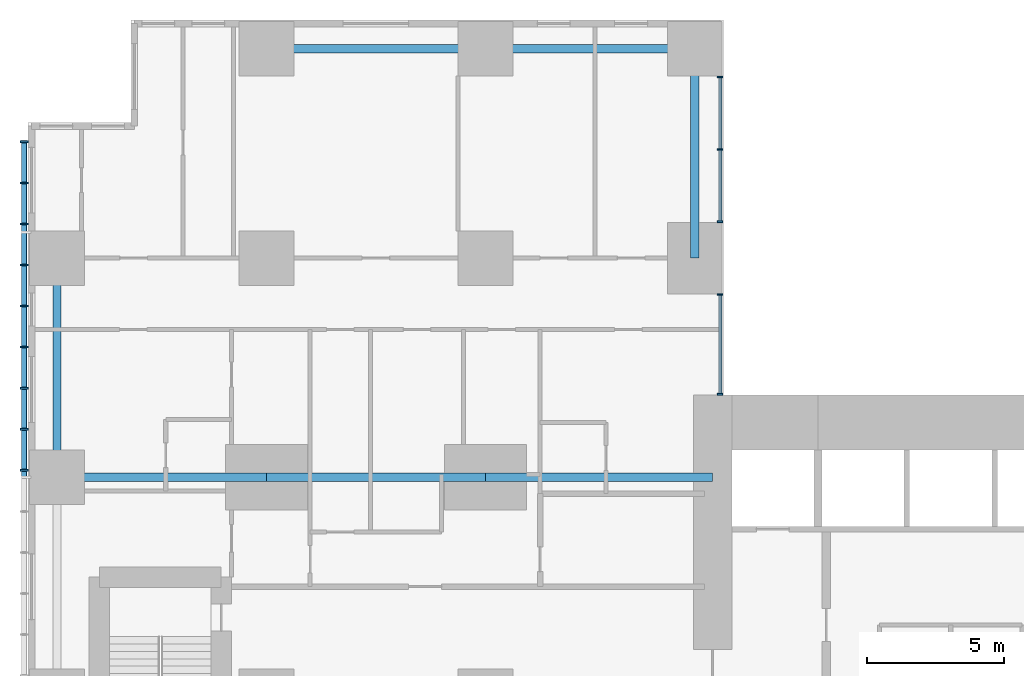
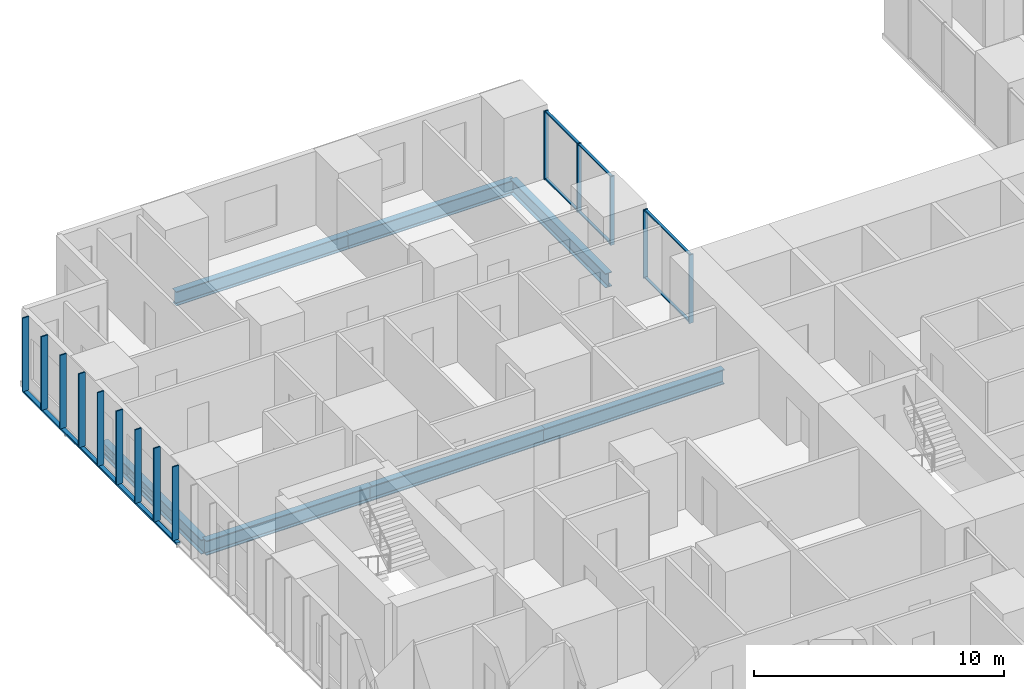
# One storey, part 4 of 20: 21 members, 7 beams, 2 elements without a shape of their own.
"""IFC4 building model written with IfcOpenShell, lengths in metres."""

from ifc_helpers import new_model, si_unit, direction, frame, origin, origin_2d, place, context, subcontext, project, spatial, rectangle, hollow_rectangle, i_section, extrude, material, layer, layer_set, material_profile, profile_set, type_object, element, aggregate, save


model = new_model("IFC4")

# Units and contexts
model_context = context("Model", 3, precision=1e-05, world=origin(), true_north=direction((0.0, 1.0)))
body_context = subcontext(model_context, "Body", "Model", "MODEL_VIEW")
ifc_project = project(units=[si_unit("LENGTHUNIT", "METRE"), si_unit("AREAUNIT", "SQUARE_METRE"), si_unit("VOLUMEUNIT", "CUBIC_METRE"), si_unit("PLANEANGLEUNIT", "RADIAN"), si_unit("MASSUNIT", "GRAM", prefix="KILO")], contexts=[model_context])

# Site, building, storey
site_placement = place(None, origin())
site = spatial("IfcSite", under=ifc_project, at=site_placement, CompositionType="ELEMENT")
building_placement = place(site_placement, origin())
building = spatial("IfcBuilding", under=site, at=building_placement, Name="Cleftline Residences", CompositionType="ELEMENT")
storey_placement = place(building_placement, frame((0.0, 0.0, 76.39990234375)))
storey = spatial("IfcBuildingStorey", under=building, at=storey_placement, Name="L19", CompositionType="ELEMENT", Elevation=76.39990234375)

# Member
ifc_material_1 = material(Name="Steel S355, hot-dip galvanised", Category="steel")
ifc_material_profile_1 = material_profile(ifc_material_1, hollow_rectangle(XDim=0.10009765625, YDim=0.199951171875, WallThickness=0.008056640625, InnerFilletRadius=0.008056640625, OuterFilletRadius=0.011962890625, at=origin_2d()))
ifc_profile_set_1 = profile_set([ifc_material_profile_1], Name="Steel S355, hot-dip galvanised")
member_type_1 = type_object("IfcMemberType", Name="BAGUETTE CARRIER RHS 200X100X8", PredefinedType="USERDEFINED", material=ifc_profile_set_1)
member_1_placement = place(storey_placement, frame((-0.85009765625, 44.300048828125, -0.0498046875), z_axis=(0.0, -1.0, 0.0), x_axis=(0.0, 0.0, 1.0)))
element("IfcMember", 1, at=member_1_placement, inside=storey, type_object=member_type_1, Name="Baguette carrier", ObjectType="BAGUETTE CARRIER", PredefinedType="USERDEFINED", context=body_context, shape_type="SweptSolid", body=[
    extrude(hollow_rectangle(XDim=0.10009765625, YDim=0.199951171875, WallThickness=0.008056640625, InnerFilletRadius=0.008056640625, OuterFilletRadius=0.011962890625, at=origin_2d()), origin(), (0.0, 0.0, 1.0), 12.300048828125),
])

# Beams
ifc_material_2 = material(Name="Steel S355", Category="steel")
ifc_material_profile_2 = material_profile(ifc_material_2, i_section(OverallWidth=0.300048828125, OverallDepth=0.699951171875, WebThickness=0.01708984375, FlangeThickness=0.031982421875, FilletRadius=0.027099609375, at=origin_2d()))
ifc_profile_set_2 = profile_set([ifc_material_profile_2], Name="Steel S355")
beam_type_1 = type_object("IfcBeamType", Name="BEAM HEB 700", PredefinedType="BEAM", material=ifc_profile_set_2)
for number, where, z_axis, x_axis, name in (
    (2, (0.35009765625, 32.0, -0.599853515625), (0.0, 1.0, 0.0), (-1.0, 0.0, 0.0), "Edge beam"),
    (3, (8.0, 47.64990234375, -0.599853515625), (1.0, 0.0, 0.0), (0.0, 1.0, 0.0), "Edge beam"),
):
    element("IfcBeam", number, at=place(storey_placement, frame(where, z_axis=z_axis, x_axis=x_axis)), inside=storey, type_object=beam_type_1, Name=name, PredefinedType="BEAM", context=body_context, shape_type="SweptSolid", body=[
        extrude(i_section(OverallWidth=0.300048828125, OverallDepth=0.699951171875, WebThickness=0.01708984375, FlangeThickness=0.031982421875, FilletRadius=0.027099609375, at=origin_2d()), origin(), (0.0, 0.0, 1.0), 8.0),
    ])
for number, where, z_axis, x_axis, name in (
    (4, (16.0, 47.64990234375, -0.599853515625), (1.0, 0.0, 0.0), (0.0, 1.0, 0.0), "Edge beam"),
    (5, (23.64990234375, 47.64990234375, -0.599853515625), (0.0, -1.0, 0.0), (1.0, 0.0, 0.0), "Edge beam"),
):
    element("IfcBeam", number, at=place(storey_placement, frame(where, z_axis=z_axis, x_axis=x_axis)), inside=storey, type_object=beam_type_1, Name=name, PredefinedType="BEAM", context=body_context, shape_type="SweptSolid", body=[
        extrude(i_section(OverallWidth=0.300048828125, OverallDepth=0.699951171875, WebThickness=0.01708984375, FlangeThickness=0.031982421875, FilletRadius=0.027099609375, at=origin_2d()), origin(), (0.0, 0.0, 1.0), 7.64990234375),
    ])
ifc_material_3 = material(Name="Steel S355", Category="steel")
ifc_material_profile_3 = material_profile(ifc_material_3, i_section(OverallWidth=0.303955078125, OverallDepth=0.716064453125, WebThickness=0.02099609375, FlangeThickness=0.0400390625, FilletRadius=0.027099609375, at=origin_2d()))
ifc_profile_set_3 = profile_set([ifc_material_profile_3], Name="Steel S355")
beam_type_2 = type_object("IfcBeamType", Name="BEAM HEM 700", PredefinedType="BEAM", material=ifc_profile_set_3)
beam_1_placement = place(storey_placement, frame((0.35009765625, 32.0, -0.60791015625), z_axis=(1.0, 0.0, 0.0), x_axis=(0.0, 1.0, 0.0)))
element("IfcBeam", 6, at=beam_1_placement, inside=storey, type_object=beam_type_2, Name="Band beam", PredefinedType="BEAM", context=body_context, shape_type="SweptSolid", body=[
    extrude(i_section(OverallWidth=0.303955078125, OverallDepth=0.716064453125, WebThickness=0.02099609375, FlangeThickness=0.0400390625, FilletRadius=0.027099609375, at=origin_2d()), origin(), (0.0, 0.0, 1.0), 7.64990234375),
])
beam_2_placement = place(storey_placement, frame((8.0, 32.0, -0.60791015625), z_axis=(1.0, 0.0, 0.0), x_axis=(0.0, 1.0, 0.0)))
element("IfcBeam", 7, at=beam_2_placement, inside=storey, type_object=beam_type_2, Name="Band beam", PredefinedType="BEAM", context=body_context, shape_type="SweptSolid", body=[
    extrude(i_section(OverallWidth=0.303955078125, OverallDepth=0.716064453125, WebThickness=0.02099609375, FlangeThickness=0.0400390625, FilletRadius=0.027099609375, at=origin_2d()), origin(), (0.0, 0.0, 1.0), 8.0),
])
beam_3_placement = place(storey_placement, frame((16.0, 32.0, -0.60791015625), z_axis=(1.0, 0.0, 0.0), x_axis=(0.0, 1.0, 0.0)))
element("IfcBeam", 8, at=beam_3_placement, inside=storey, type_object=beam_type_2, Name="Band beam", PredefinedType="BEAM", context=body_context, shape_type="SweptSolid", body=[
    extrude(i_section(OverallWidth=0.303955078125, OverallDepth=0.716064453125, WebThickness=0.02099609375, FlangeThickness=0.0400390625, FilletRadius=0.027099609375, at=origin_2d()), origin(), (0.0, 0.0, 1.0), 8.300048828125),
])

# Curtain wall, members
ifc_material_4 = material(Name="Aluminium framed curtain wall", Category="aluminium")
ifc_layer = layer(ifc_material_4, 0.199951171875)
ifc_layer_set = layer_set([ifc_layer], Name="CW1 CLEFT GLAZING")
curtain_wall_type = type_object("IfcCurtainWallType", Name="CW1 CLEFT GLAZING", PredefinedType="NOTDEFINED", material=ifc_layer_set)
curtain_wall_1_placement = place(storey_placement, origin())
curtain_wall_1 = element("IfcCurtainWall", 9, at=curtain_wall_1_placement, inside=storey, type_object=curtain_wall_type, Name="Curtain wall CW1", PredefinedType="NOTDEFINED")
ifc_material_5 = material(Name="Aluminium mullion", Category="aluminium")
ifc_material_profile_4 = material_profile(ifc_material_5, rectangle(XDim=0.199951171875, YDim=0.06005859375, at=origin_2d()))
ifc_profile_set_4 = profile_set([ifc_material_profile_4], Name="Aluminium mullion")
member_type_2 = type_object("IfcMemberType", Name="CW1 MULLION", PredefinedType="MULLION", material=ifc_profile_set_4)
member_2_placement = place(storey_placement, frame((24.574951171875, 35.030029296875, 0.0), z_axis=(0.0, 0.0, 1.0), x_axis=(-1.0, 0.0, 0.0)))
member_2 = element("IfcMember", 10, at=member_2_placement, type_object=member_type_2, Name="CW1 mullion 1", PredefinedType="MULLION", context=body_context, shape_type="SweptSolid", body=[
    extrude(rectangle(XDim=0.199951171875, YDim=0.06005859375, at=origin_2d()), origin(), (0.0, 0.0, 1.0), 3.35009765625),
])
member_3_placement = place(storey_placement, frame((24.574951171875, 38.669921875, 0.0), z_axis=(0.0, 0.0, 1.0), x_axis=(-1.0, 0.0, 0.0)))
member_3 = element("IfcMember", 11, at=member_3_placement, type_object=member_type_2, Name="CW1 mullion 2", PredefinedType="MULLION", context=body_context, shape_type="SweptSolid", body=[
    extrude(rectangle(XDim=0.199951171875, YDim=0.06005859375, at=origin_2d()), origin(), (0.0, 0.0, 1.0), 3.35009765625),
])

curtain_wall_2_placement = place(storey_placement, origin())
curtain_wall_2 = element("IfcCurtainWall", 12, at=curtain_wall_2_placement, inside=storey, type_object=curtain_wall_type, Name="Curtain wall CW1", PredefinedType="NOTDEFINED")
member_4_placement = place(storey_placement, frame((24.574951171875, 41.330078125, 0.0), z_axis=(0.0, 0.0, 1.0), x_axis=(-1.0, 0.0, 0.0)))
member_4 = element("IfcMember", 13, at=member_4_placement, type_object=member_type_2, Name="CW1 mullion 1", PredefinedType="MULLION", context=body_context, shape_type="SweptSolid", body=[
    extrude(rectangle(XDim=0.199951171875, YDim=0.06005859375, at=origin_2d()), origin(), (0.0, 0.0, 1.0), 3.35009765625),
])
member_5_placement = place(storey_placement, frame((24.574951171875, 43.97509765625, 0.0), z_axis=(0.0, 0.0, 1.0), x_axis=(-1.0, 0.0, 0.0)))
member_5 = element("IfcMember", 14, at=member_5_placement, type_object=member_type_2, Name="CW1 mullion 2", PredefinedType="MULLION", context=body_context, shape_type="SweptSolid", body=[
    extrude(rectangle(XDim=0.199951171875, YDim=0.06005859375, at=origin_2d()), origin(), (0.0, 0.0, 1.0), 3.35009765625),
])
member_6_placement = place(storey_placement, frame((24.574951171875, 46.6201171875, 0.0), z_axis=(0.0, 0.0, 1.0), x_axis=(-1.0, 0.0, 0.0)))
member_6 = element("IfcMember", 15, at=member_6_placement, type_object=member_type_2, Name="CW1 mullion 3", PredefinedType="MULLION", context=body_context, shape_type="SweptSolid", body=[
    extrude(rectangle(XDim=0.199951171875, YDim=0.06005859375, at=origin_2d()), origin(), (0.0, 0.0, 1.0), 3.35009765625),
])

# Member
ifc_material_6 = material(Name="Aluminium transom", Category="aluminium")
ifc_material_profile_5 = material_profile(ifc_material_6, rectangle(XDim=0.1201171875, YDim=0.06005859375, at=origin_2d()))
ifc_profile_set_5 = profile_set([ifc_material_profile_5], Name="Aluminium transom")
member_type_3 = type_object("IfcMemberType", Name="CW1 TRANSOM", PredefinedType="USERDEFINED", material=ifc_profile_set_5)
member_7_placement = place(storey_placement, frame((24.574951171875, 35.06005859375, 0.030029296875), z_axis=(0.0, 1.0, 0.0), x_axis=(-1.0, 0.0, 0.0)))
member_7 = element("IfcMember", 16, at=member_7_placement, type_object=member_type_3, Name="CW1 transom 1.1", ObjectType="TRANSOM", PredefinedType="USERDEFINED", context=body_context, shape_type="SweptSolid", body=[
    extrude(rectangle(XDim=0.1201171875, YDim=0.06005859375, at=origin_2d()), origin(), (0.0, 0.0, 1.0), 3.579833984375),
])

member_8_placement = place(storey_placement, frame((24.574951171875, 35.06005859375, 3.320068359375), z_axis=(0.0, 1.0, 0.0), x_axis=(-1.0, 0.0, 0.0)))
member_8 = element("IfcMember", 17, at=member_8_placement, type_object=member_type_3, Name="CW1 transom 1.2", ObjectType="TRANSOM", PredefinedType="USERDEFINED", context=body_context, shape_type="SweptSolid", body=[
    extrude(rectangle(XDim=0.1201171875, YDim=0.06005859375, at=origin_2d()), origin(), (0.0, 0.0, 1.0), 3.579833984375),
])

aggregate(curtain_wall_1, [member_2, member_3, member_7, member_8])

member_9_placement = place(storey_placement, frame((24.574951171875, 41.360107421875, 0.030029296875), z_axis=(0.0, 1.0, 0.0), x_axis=(-1.0, 0.0, 0.0)))
member_9 = element("IfcMember", 18, at=member_9_placement, type_object=member_type_3, Name="CW1 transom 1.1", ObjectType="TRANSOM", PredefinedType="USERDEFINED", context=body_context, shape_type="SweptSolid", body=[
    extrude(rectangle(XDim=0.1201171875, YDim=0.06005859375, at=origin_2d()), origin(), (0.0, 0.0, 1.0), 2.5849609375),
])

member_10_placement = place(storey_placement, frame((24.574951171875, 41.360107421875, 3.320068359375), z_axis=(0.0, 1.0, 0.0), x_axis=(-1.0, 0.0, 0.0)))
member_10 = element("IfcMember", 19, at=member_10_placement, type_object=member_type_3, Name="CW1 transom 1.2", ObjectType="TRANSOM", PredefinedType="USERDEFINED", context=body_context, shape_type="SweptSolid", body=[
    extrude(rectangle(XDim=0.1201171875, YDim=0.06005859375, at=origin_2d()), origin(), (0.0, 0.0, 1.0), 2.5849609375),
])

member_11_placement = place(storey_placement, frame((24.574951171875, 44.0048828125, 0.030029296875), z_axis=(0.0, 1.0, 0.0), x_axis=(-1.0, 0.0, 0.0)))
member_11 = element("IfcMember", 20, at=member_11_placement, type_object=member_type_3, Name="CW1 transom 2.1", ObjectType="TRANSOM", PredefinedType="USERDEFINED", context=body_context, shape_type="SweptSolid", body=[
    extrude(rectangle(XDim=0.1201171875, YDim=0.06005859375, at=origin_2d()), origin(), (0.0, 0.0, 1.0), 2.585205078125),
])

member_12_placement = place(storey_placement, frame((24.574951171875, 44.0048828125, 3.320068359375), z_axis=(0.0, 1.0, 0.0), x_axis=(-1.0, 0.0, 0.0)))
member_12 = element("IfcMember", 21, at=member_12_placement, type_object=member_type_3, Name="CW1 transom 2.2", ObjectType="TRANSOM", PredefinedType="USERDEFINED", context=body_context, shape_type="SweptSolid", body=[
    extrude(rectangle(XDim=0.1201171875, YDim=0.06005859375, at=origin_2d()), origin(), (0.0, 0.0, 1.0), 2.585205078125),
])

aggregate(curtain_wall_2, [member_4, member_5, member_6, member_9, member_10, member_11, member_12])

# Members
ifc_material_7 = material(Name="Extruded terracotta", Category="masonry")
ifc_material_profile_6 = material_profile(ifc_material_7, rectangle(XDim=0.06005859375, YDim=0.300048828125, at=origin_2d()))
ifc_profile_set_6 = profile_set([ifc_material_profile_6], Name="Extruded terracotta")
member_type_4 = type_object("IfcMemberType", Name="TERRACOTTA BAGUETTE 60X300", PredefinedType="USERDEFINED", material=ifc_profile_set_6)
for number, where, z_axis, x_axis, name in (
    (22, (-0.85009765625, 44.25, 0.0), (0.0, 0.0, 1.0), (0.0, 1.0, 0.0), "Terracotta baguette"),
    (23, (-0.85009765625, 42.75, 0.0), (0.0, 0.0, 1.0), (0.0, 1.0, 0.0), "Terracotta baguette"),
    (24, (-0.85009765625, 41.25, 0.0), (0.0, 0.0, 1.0), (0.0, 1.0, 0.0), "Terracotta baguette"),
    (25, (-0.85009765625, 39.75, 0.0), (0.0, 0.0, 1.0), (0.0, 1.0, 0.0), "Terracotta baguette"),
    (26, (-0.85009765625, 38.25, 0.0), (0.0, 0.0, 1.0), (0.0, 1.0, 0.0), "Terracotta baguette"),
    (27, (-0.85009765625, 36.75, 0.0), (0.0, 0.0, 1.0), (0.0, 1.0, 0.0), "Terracotta baguette"),
    (28, (-0.85009765625, 35.25, 0.0), (0.0, 0.0, 1.0), (0.0, 1.0, 0.0), "Terracotta baguette"),
    (29, (-0.85009765625, 33.75, 0.0), (0.0, 0.0, 1.0), (0.0, 1.0, 0.0), "Terracotta baguette"),
    (30, (-0.85009765625, 32.25, 0.0), (0.0, 0.0, 1.0), (0.0, 1.0, 0.0), "Terracotta baguette"),
):
    element("IfcMember", number, at=place(storey_placement, frame(where, z_axis=z_axis, x_axis=x_axis)), inside=storey, type_object=member_type_4, Name=name, ObjectType="BAGUETTE", PredefinedType="USERDEFINED", context=body_context, shape_type="SweptSolid", body=[
        extrude(rectangle(XDim=0.06005859375, YDim=0.300048828125, at=origin_2d()), origin(), (0.0, 0.0, 1.0), 3.60009765625),
    ])

save(model, "model.ifc")
